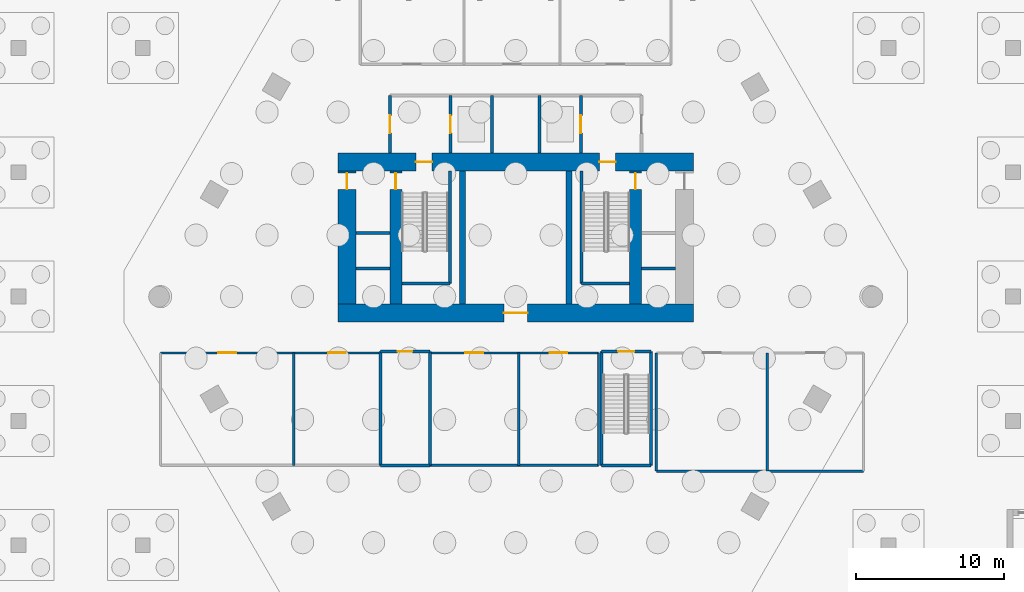
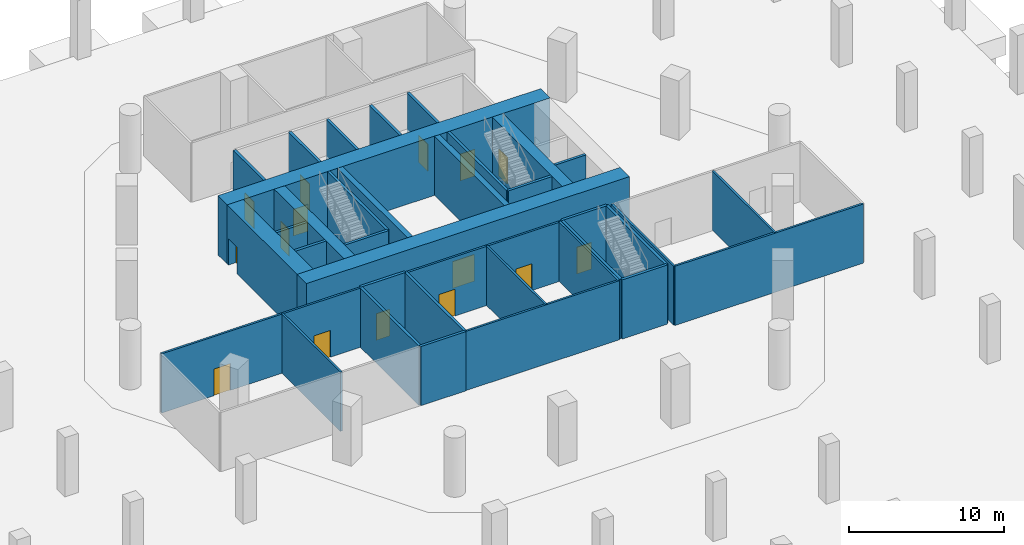
# One storey, part 4 of 7: 36 walls, 15 doors, 15 openings.
"""IFC4 building model written with IfcOpenShell, lengths in metres."""

from ifc_helpers import new_model, si_unit, direction, frame, frame_2d, origin, place, context, subcontext, project, spatial, rectangle, extrude, material, layer, layer_set, type_object, element, fill, save


model = new_model("IFC4")

# Units and contexts
model_context = context("Model", 3, precision=1e-05, world=origin(), true_north=direction((0.0, 1.0)))
body_context = subcontext(model_context, "Body", "Model", "MODEL_VIEW")
ifc_project = project(units=[si_unit("LENGTHUNIT", "METRE"), si_unit("AREAUNIT", "SQUARE_METRE"), si_unit("VOLUMEUNIT", "CUBIC_METRE"), si_unit("PLANEANGLEUNIT", "RADIAN"), si_unit("MASSUNIT", "GRAM", prefix="KILO")], contexts=[model_context])

# Site, building, storey
site_placement = place(None, origin())
site = spatial("IfcSite", under=ifc_project, at=site_placement, CompositionType="ELEMENT")
building_placement = place(site_placement, origin())
building = spatial("IfcBuilding", under=site, at=building_placement, Name="Ostrander Bayou Hotel Tower", CompositionType="ELEMENT")
storey_placement = place(building_placement, frame((0.0, 0.0, -5.0)))
storey = spatial("IfcBuildingStorey", under=building, at=storey_placement, Name="B1", CompositionType="ELEMENT", Elevation=-5.0)

# Wall, opening, door
ifc_material_1 = material(Name="Concrete f'c 70 MPa", Category="concrete")
ifc_layer_1 = layer(ifc_material_1, 1.199951171875)
ifc_layer_set_1 = layer_set([ifc_layer_1], Name="CW1 core wall 1200 mm f'c 70 MPa")
wall_type_1 = type_object("IfcWallType", Name="CW1 core wall 1200 mm f'c 70 MPa", PredefinedType="SHEAR", material=ifc_layer_set_1)
wall_1_placement = place(storey_placement, frame((-12.0, -1.10009765625, 0.0), z_axis=(0.0, 0.0, 1.0), x_axis=(1.0, 0.0, 0.0)))
wall_1 = element("IfcWall", 1, at=wall_1_placement, inside=storey, type_object=wall_type_1, Name="CW1 B1 S", PredefinedType="SHEAR", context=body_context, shape_type="SweptSolid", body=[
    extrude(rectangle(XDim=24.0, YDim=1.199951171875, at=frame_2d((12.0, 0.0))), origin(), (0.0, 0.0, 1.0), 4.64990234375),
])
opening_1_placement = place(wall_1_placement, frame((11.199951171875, 0.0, 0.0)))
opening_1 = element("IfcOpeningElement", 2, at=opening_1_placement, cuts=wall_1, Name="Opening B1-001", PredefinedType="OPENING", context=body_context, shape_type="SweptSolid", body=[
    extrude(rectangle(XDim=1.60009765625, YDim=2.10009765625, at=frame_2d((0.800048828125, 1.050048828125))), frame((0.0, 0.60009765625, 0.0), z_axis=(0.0, -1.0, 0.0), x_axis=(1.0, 0.0, 0.0)), (0.0, 0.0, 1.0), 1.199951171875),
])
ifc_material_2 = material(Name="Timber door leaf", Category="wood")
door_type_1 = type_object("IfcDoorType", Name="D13 double door 1600 x 2100 mm, 1 hour", OperationType="SINGLE_SWING_LEFT", PredefinedType="DOOR", material=ifc_material_2)
door_1_placement = place(opening_1_placement, origin())
door_1 = element("IfcDoor", 3, at=door_1_placement, inside=storey, type_object=door_type_1, Name="dr:B1:001", OperationType="DOUBLE_DOOR_SINGLE_SWING", OverallHeight=2.10009765625, OverallWidth=1.60009765625, PredefinedType="DOOR", context=body_context, shape_type="SweptSolid", body=[
    extrude(rectangle(XDim=1.60009765625, YDim=2.10009765625, at=frame_2d((0.800048828125, 1.050048828125))), frame((0.0, 0.02490234375, 0.0), z_axis=(0.0, -1.0, 0.0), x_axis=(1.0, 0.0, 0.0)), (0.0, 0.0, 1.0), 0.050048828125),
])
fill(opening_1, door_1)

# Wall, openings, doors
wall_2_placement = place(storey_placement, frame((-12.0, 9.10009765625, 0.0), z_axis=(0.0, 0.0, 1.0), x_axis=(1.0, 0.0, 0.0)))
wall_2 = element("IfcWall", 4, at=wall_2_placement, inside=storey, type_object=wall_type_1, Name="CW1 B1 N", PredefinedType="SHEAR", context=body_context, shape_type="SweptSolid", body=[
    extrude(rectangle(XDim=24.0, YDim=1.199951171875, at=frame_2d((12.0, 0.0))), origin(), (0.0, 0.0, 1.0), 4.64990234375),
])
opening_2_placement = place(wall_2_placement, frame((5.25, 0.0, 0.0)))
opening_2 = element("IfcOpeningElement", 5, at=opening_2_placement, cuts=wall_2, Name="Opening B1-002", PredefinedType="OPENING", context=body_context, shape_type="SweptSolid", body=[
    extrude(rectangle(XDim=1.10009765625, YDim=2.10009765625, at=frame_2d((0.550048828125, 1.050048828125))), frame((0.0, 0.60009765625, 0.0), z_axis=(0.0, -1.0, 0.0), x_axis=(1.0, 0.0, 0.0)), (0.0, 0.0, 1.0), 1.199951171875),
])
opening_3_placement = place(wall_2_placement, frame((17.64990234375, 0.0, 0.0)))
opening_3 = element("IfcOpeningElement", 6, at=opening_3_placement, cuts=wall_2, Name="Opening B1-004", PredefinedType="OPENING", context=body_context, shape_type="SweptSolid", body=[
    extrude(rectangle(XDim=1.10009765625, YDim=2.10009765625, at=frame_2d((0.550048828125, 1.050048828125))), frame((0.0, 0.60009765625, 0.0), z_axis=(0.0, -1.0, 0.0), x_axis=(1.0, 0.0, 0.0)), (0.0, 0.0, 1.0), 1.199951171875),
])
ifc_material_3 = material(Name="Timber door leaf", Category="wood")
door_type_2 = type_object("IfcDoorType", Name="D5 stair door 1100 x 2100 mm, 90 minute", OperationType="SINGLE_SWING_LEFT", PredefinedType="DOOR", material=ifc_material_3)
door_2_placement = place(opening_2_placement, origin())
door_2 = element("IfcDoor", 7, at=door_2_placement, inside=storey, type_object=door_type_2, Name="dr:B1:002", OperationType="SINGLE_SWING_LEFT", OverallHeight=2.10009765625, OverallWidth=1.10009765625, PredefinedType="DOOR", context=body_context, shape_type="SweptSolid", body=[
    extrude(rectangle(XDim=1.10009765625, YDim=2.10009765625, at=frame_2d((0.550048828125, 1.050048828125))), frame((0.0, 0.02490234375, 0.0), z_axis=(0.0, -1.0, 0.0), x_axis=(1.0, 0.0, 0.0)), (0.0, 0.0, 1.0), 0.050048828125),
])
fill(opening_2, door_2)
door_3_placement = place(opening_3_placement, origin())
door_3 = element("IfcDoor", 8, at=door_3_placement, inside=storey, type_object=door_type_2, Name="dr:B1:004", OperationType="SINGLE_SWING_RIGHT", OverallHeight=2.10009765625, OverallWidth=1.10009765625, PredefinedType="DOOR", context=body_context, shape_type="SweptSolid", body=[
    extrude(rectangle(XDim=1.10009765625, YDim=2.10009765625, at=frame_2d((0.550048828125, 1.050048828125))), frame((0.0, 0.02490234375, 0.0), z_axis=(0.0, -1.0, 0.0), x_axis=(1.0, 0.0, 0.0)), (0.0, 0.0, 1.0), 0.050048828125),
])
fill(opening_3, door_3)

# Wall, opening, door
wall_3_placement = place(storey_placement, frame((-11.39990234375, -0.5, 0.0), z_axis=(0.0, 0.0, 1.0), x_axis=(0.0, 1.0, 0.0)))
wall_3 = element("IfcWall", 9, at=wall_3_placement, inside=storey, type_object=wall_type_1, Name="CW1 B1 RW", PredefinedType="SHEAR", context=body_context, shape_type="SweptSolid", body=[
    extrude(rectangle(XDim=9.0, YDim=1.199951171875, at=frame_2d((4.5, 0.0))), origin(), (0.0, 0.0, 1.0), 4.64990234375),
])
opening_4_placement = place(wall_3_placement, frame((7.75, 0.0, 0.0)))
opening_4 = element("IfcOpeningElement", 10, at=opening_4_placement, cuts=wall_3, Name="Opening B1-011", PredefinedType="OPENING", context=body_context, shape_type="SweptSolid", body=[
    extrude(rectangle(XDim=1.10009765625, YDim=2.10009765625, at=frame_2d((0.550048828125, 1.050048828125))), frame((0.0, 0.60009765625, 0.0), z_axis=(0.0, -1.0, 0.0), x_axis=(1.0, 0.0, 0.0)), (0.0, 0.0, 1.0), 1.199951171875),
])
door_4_placement = place(opening_4_placement, origin())
door_4 = element("IfcDoor", 11, at=door_4_placement, inside=storey, type_object=door_type_2, Name="dr:B1:011", OperationType="SINGLE_SWING_LEFT", OverallHeight=2.10009765625, OverallWidth=1.10009765625, PredefinedType="DOOR", context=body_context, shape_type="SweptSolid", body=[
    extrude(rectangle(XDim=1.10009765625, YDim=2.10009765625, at=frame_2d((0.550048828125, 1.050048828125))), frame((0.0, 0.02490234375, 0.0), z_axis=(0.0, -1.0, 0.0), x_axis=(1.0, 0.0, 0.0)), (0.0, 0.0, 1.0), 0.050048828125),
])
fill(opening_4, door_4)

ifc_material_4 = material(Name="Concrete f'c 70 MPa", Category="concrete")
ifc_layer_2 = layer(ifc_material_4, 0.800048828125)
ifc_layer_set_2 = layer_set([ifc_layer_2], Name="CW2 core spine wall 800 mm f'c 70 MPa")
wall_type_2 = type_object("IfcWallType", Name="CW2 core spine wall 800 mm f'c 70 MPa", PredefinedType="SHEAR", material=ifc_layer_set_2)
wall_4_placement = place(storey_placement, frame((-8.10009765625, -0.5, 0.0), z_axis=(0.0, 0.0, 1.0), x_axis=(0.0, 1.0, 0.0)))
wall_4 = element("IfcWall", 12, at=wall_4_placement, inside=storey, type_object=wall_type_2, Name="CW2 B1 W", PredefinedType="SHEAR", context=body_context, shape_type="SweptSolid", body=[
    extrude(rectangle(XDim=9.0, YDim=0.800048828125, at=frame_2d((4.5, 0.0))), origin(), (0.0, 0.0, 1.0), 4.64990234375),
])
opening_5_placement = place(wall_4_placement, frame((7.75, 0.0, 0.0)))
opening_5 = element("IfcOpeningElement", 13, at=opening_5_placement, cuts=wall_4, Name="Opening B1-003", PredefinedType="OPENING", context=body_context, shape_type="SweptSolid", body=[
    extrude(rectangle(XDim=1.10009765625, YDim=2.10009765625, at=frame_2d((0.550048828125, 1.050048828125))), frame((0.0, 0.39990234375, 0.0), z_axis=(0.0, -1.0, 0.0), x_axis=(1.0, 0.0, 0.0)), (0.0, 0.0, 1.0), 0.800048828125),
])
door_5_placement = place(opening_5_placement, origin())
door_5 = element("IfcDoor", 14, at=door_5_placement, inside=storey, type_object=door_type_2, Name="dr:B1:003", OperationType="SINGLE_SWING_RIGHT", OverallHeight=2.10009765625, OverallWidth=1.10009765625, PredefinedType="DOOR", context=body_context, shape_type="SweptSolid", body=[
    extrude(rectangle(XDim=1.10009765625, YDim=2.10009765625, at=frame_2d((0.550048828125, 1.050048828125))), frame((0.0, 0.02490234375, 0.0), z_axis=(0.0, -1.0, 0.0), x_axis=(1.0, 0.0, 0.0)), (0.0, 0.0, 1.0), 0.050048828125),
])
fill(opening_5, door_5)

wall_5_placement = place(storey_placement, frame((8.10009765625, -0.5, 0.0), z_axis=(0.0, 0.0, 1.0), x_axis=(0.0, 1.0, 0.0)))
wall_5 = element("IfcWall", 15, at=wall_5_placement, inside=storey, type_object=wall_type_2, Name="CW2 B1 E", PredefinedType="SHEAR", context=body_context, shape_type="SweptSolid", body=[
    extrude(rectangle(XDim=9.0, YDim=0.800048828125, at=frame_2d((4.5, 0.0))), origin(), (0.0, 0.0, 1.0), 4.64990234375),
])
opening_6_placement = place(wall_5_placement, frame((7.75, 0.0, 0.0)))
opening_6 = element("IfcOpeningElement", 16, at=opening_6_placement, cuts=wall_5, Name="Opening B1-005", PredefinedType="OPENING", context=body_context, shape_type="SweptSolid", body=[
    extrude(rectangle(XDim=1.10009765625, YDim=2.10009765625, at=frame_2d((0.550048828125, 1.050048828125))), frame((0.0, 0.39990234375, 0.0), z_axis=(0.0, -1.0, 0.0), x_axis=(1.0, 0.0, 0.0)), (0.0, 0.0, 1.0), 0.800048828125),
])
door_6_placement = place(opening_6_placement, origin())
door_6 = element("IfcDoor", 17, at=door_6_placement, inside=storey, type_object=door_type_2, Name="dr:B1:005", OperationType="SINGLE_SWING_LEFT", OverallHeight=2.10009765625, OverallWidth=1.10009765625, PredefinedType="DOOR", context=body_context, shape_type="SweptSolid", body=[
    extrude(rectangle(XDim=1.10009765625, YDim=2.10009765625, at=frame_2d((0.550048828125, 1.050048828125))), frame((0.0, 0.02490234375, 0.0), z_axis=(0.0, -1.0, 0.0), x_axis=(1.0, 0.0, 0.0)), (0.0, 0.0, 1.0), 0.050048828125),
])
fill(opening_6, door_6)

# Walls
ifc_material_5 = material(Name="Concrete f'c 70 MPa", Category="concrete")
ifc_layer_3 = layer(ifc_material_5, 0.39990234375)
ifc_layer_set_3 = layer_set([ifc_layer_3], Name="CW3 core bank wall 400 mm f'c 70 MPa")
wall_type_3 = type_object("IfcWallType", Name="CW3 core bank wall 400 mm f'c 70 MPa", PredefinedType="SHEAR", material=ifc_layer_set_3)
for number, where, z_axis, x_axis, name in (
    (18, (-3.60009765625, -0.5, 0.0), (0.0, 0.0, 1.0), (0.0, 1.0, 0.0), "CW3 B1 CW"),
    (19, (3.60009765625, -0.5, 0.0), (0.0, 0.0, 1.0), (0.0, 1.0, 0.0), "CW3 B1 CE"),
):
    element("IfcWall", number, at=place(storey_placement, frame(where, z_axis=z_axis, x_axis=x_axis)), inside=storey, type_object=wall_type_3, Name=name, PredefinedType="SHEAR", context=body_context, shape_type="SweptSolid", body=[
        extrude(rectangle(XDim=9.0, YDim=0.39990234375, at=frame_2d((4.5, 0.0))), origin(), (0.0, 0.0, 1.0), 4.64990234375),
    ])

# Wall, opening, door
ifc_material_6 = material(Name="Masonry block", Category="masonry")
ifc_layer_4 = layer(ifc_material_6, 0.199951171875)
ifc_layer_set_4 = layer_set([ifc_layer_4], Name="PT5 stair enclosure wall 200 mm masonry, 2 hour")
wall_type_4 = type_object("IfcWallType", Name="PT5 stair enclosure wall 200 mm masonry, 2 hour", PredefinedType="PARTITIONING", material=ifc_layer_set_4)
wall_6_placement = place(storey_placement, frame((-8.5, 9.699951171875, 0.0), z_axis=(0.0, 0.0, 1.0), x_axis=(0.0, 1.0, 0.0)))
wall_6 = element("IfcWall", 20, at=wall_6_placement, inside=storey, type_object=wall_type_4, Name="cs:B1:010", PredefinedType="PARTITIONING", context=body_context, shape_type="SweptSolid", body=[
    extrude(rectangle(XDim=3.900146484375, YDim=0.199951171875, at=frame_2d((1.9501953125, 0.0))), origin(), (0.0, 0.0, 1.0), 4.64990234375),
])
opening_7_placement = place(wall_6_placement, frame((1.35009765625, 0.0, 0.0)))
opening_7 = element("IfcOpeningElement", 21, at=opening_7_placement, cuts=wall_6, Name="Opening B1-008", PredefinedType="OPENING", context=body_context, shape_type="SweptSolid", body=[
    extrude(rectangle(XDim=1.199951171875, YDim=2.10009765625, at=frame_2d((0.60009765625, 1.050048828125))), frame((0.0, 0.10009765625, 0.0), z_axis=(0.0, -1.0, 0.0), x_axis=(1.0, 0.0, 0.0)), (0.0, 0.0, 1.0), 0.199951171875),
])
ifc_material_7 = material(Name="Timber door leaf", Category="wood")
door_type_3 = type_object("IfcDoorType", Name="D7 lobby door 1200 x 2100 mm, 1 hour", OperationType="SINGLE_SWING_LEFT", PredefinedType="DOOR", material=ifc_material_7)
door_7_placement = place(opening_7_placement, origin())
door_7 = element("IfcDoor", 22, at=door_7_placement, inside=storey, type_object=door_type_3, Name="dr:B1:008", OperationType="SINGLE_SWING_LEFT", OverallHeight=2.10009765625, OverallWidth=1.199951171875, PredefinedType="DOOR", context=body_context, shape_type="SweptSolid", body=[
    extrude(rectangle(XDim=1.199951171875, YDim=2.10009765625, at=frame_2d((0.60009765625, 1.050048828125))), frame((0.0, 0.02490234375, 0.0), z_axis=(0.0, -1.0, 0.0), x_axis=(1.0, 0.0, 0.0)), (0.0, 0.0, 1.0), 0.050048828125),
])
fill(opening_7, door_7)

wall_7_placement = place(storey_placement, frame((-4.39990234375, 9.699951171875, 0.0), z_axis=(0.0, 0.0, 1.0), x_axis=(0.0, 1.0, 0.0)))
wall_7 = element("IfcWall", 23, at=wall_7_placement, inside=storey, type_object=wall_type_4, Name="cs:B1:012", PredefinedType="PARTITIONING", context=body_context, shape_type="SweptSolid", body=[
    extrude(rectangle(XDim=3.900146484375, YDim=0.199951171875, at=frame_2d((1.9501953125, 0.0))), origin(), (0.0, 0.0, 1.0), 4.64990234375),
])
opening_8_placement = place(wall_7_placement, frame((1.35009765625, 0.0, 0.0)))
opening_8 = element("IfcOpeningElement", 24, at=opening_8_placement, cuts=wall_7, Name="Opening B1-007", PredefinedType="OPENING", context=body_context, shape_type="SweptSolid", body=[
    extrude(rectangle(XDim=1.199951171875, YDim=2.10009765625, at=frame_2d((0.60009765625, 1.050048828125))), frame((0.0, 0.10009765625, 0.0), z_axis=(0.0, -1.0, 0.0), x_axis=(1.0, 0.0, 0.0)), (0.0, 0.0, 1.0), 0.199951171875),
])
ifc_material_8 = material(Name="Stainless steel sliding door", Category="steel")
door_type_4 = type_object("IfcDoorType", Name="LD1 lift landing door 1200 x 2100 mm", OperationType="SINGLE_SWING_LEFT", PredefinedType="DOOR", material=ifc_material_8)
door_8_placement = place(opening_8_placement, origin())
door_8 = element("IfcDoor", 25, at=door_8_placement, inside=storey, type_object=door_type_4, Name="dr:B1:007", OperationType="SLIDING_TO_LEFT", OverallHeight=2.10009765625, OverallWidth=1.199951171875, PredefinedType="DOOR", context=body_context, shape_type="SweptSolid", body=[
    extrude(rectangle(XDim=1.199951171875, YDim=2.10009765625, at=frame_2d((0.60009765625, 1.050048828125))), frame((0.0, 0.02490234375, 0.0), z_axis=(0.0, -1.0, 0.0), x_axis=(1.0, 0.0, 0.0)), (0.0, 0.0, 1.0), 0.050048828125),
])
fill(opening_8, door_8)

wall_8_placement = place(storey_placement, frame((4.39990234375, 9.699951171875, 0.0), z_axis=(0.0, 0.0, 1.0), x_axis=(0.0, 1.0, 0.0)))
wall_8 = element("IfcWall", 26, at=wall_8_placement, inside=storey, type_object=wall_type_4, Name="cs:B1:013", PredefinedType="PARTITIONING", context=body_context, shape_type="SweptSolid", body=[
    extrude(rectangle(XDim=3.900146484375, YDim=0.199951171875, at=frame_2d((1.9501953125, 0.0))), origin(), (0.0, 0.0, 1.0), 4.64990234375),
])
opening_9_placement = place(wall_8_placement, frame((1.35009765625, 0.0, 0.0)))
opening_9 = element("IfcOpeningElement", 27, at=opening_9_placement, cuts=wall_8, Name="Opening B1-009", PredefinedType="OPENING", context=body_context, shape_type="SweptSolid", body=[
    extrude(rectangle(XDim=1.199951171875, YDim=2.10009765625, at=frame_2d((0.60009765625, 1.050048828125))), frame((0.0, 0.10009765625, 0.0), z_axis=(0.0, -1.0, 0.0), x_axis=(1.0, 0.0, 0.0)), (0.0, 0.0, 1.0), 0.199951171875),
])
door_9_placement = place(opening_9_placement, origin())
door_9 = element("IfcDoor", 28, at=door_9_placement, inside=storey, type_object=door_type_4, Name="dr:B1:009", OperationType="SLIDING_TO_LEFT", OverallHeight=2.10009765625, OverallWidth=1.199951171875, PredefinedType="DOOR", context=body_context, shape_type="SweptSolid", body=[
    extrude(rectangle(XDim=1.199951171875, YDim=2.10009765625, at=frame_2d((0.60009765625, 1.050048828125))), frame((0.0, 0.02490234375, 0.0), z_axis=(0.0, -1.0, 0.0), x_axis=(1.0, 0.0, 0.0)), (0.0, 0.0, 1.0), 0.050048828125),
])
fill(opening_9, door_9)

# Walls
ifc_material_9 = material(Name="Masonry block", Category="masonry")
ifc_layer_5 = layer(ifc_material_9, 0.199951171875)
ifc_layer_set_5 = layer_set([ifc_layer_5], Name="PT6 lift shaft wall 200 mm masonry, 2 hour")
wall_type_5 = type_object("IfcWallType", Name="PT6 lift shaft wall 200 mm masonry, 2 hour", PredefinedType="PARTITIONING", material=ifc_layer_set_5)
for number, where, z_axis, x_axis, name in (
    (29, (-1.60009765625, 9.699951171875, 0.0), (0.0, 0.0, 1.0), (0.0, 1.0, 0.0), "cs:B1:014"),
    (30, (1.60009765625, 9.699951171875, 0.0), (0.0, 0.0, 1.0), (0.0, 1.0, 0.0), "cs:B1:015"),
):
    element("IfcWall", number, at=place(storey_placement, frame(where, z_axis=z_axis, x_axis=x_axis)), inside=storey, type_object=wall_type_5, Name=name, PredefinedType="PARTITIONING", context=body_context, shape_type="SweptSolid", body=[
        extrude(rectangle(XDim=3.900146484375, YDim=0.199951171875, at=frame_2d((1.9501953125, 0.0))), origin(), (0.0, 0.0, 1.0), 4.64990234375),
    ])
for number, where, z_axis, x_axis, name in (
    (31, (-10.800048828125, 1.89990234375, 0.0), (0.0, 0.0, 1.0), (1.0, 0.0, 0.0), "cs:B1:016"),
    (32, (-10.800048828125, 4.300048828125, 0.0), (0.0, 0.0, 1.0), (1.0, 0.0, 0.0), "cs:B1:017"),
    (33, (8.5, 1.89990234375, 0.0), (0.0, 0.0, 1.0), (1.0, 0.0, 0.0), "cs:B1:018"),
):
    element("IfcWall", number, at=place(storey_placement, frame(where, z_axis=z_axis, x_axis=x_axis)), inside=storey, type_object=wall_type_5, Name=name, PredefinedType="PARTITIONING", context=body_context, shape_type="SweptSolid", body=[
        extrude(rectangle(XDim=2.300048828125, YDim=0.199951171875, at=frame_2d((1.14990234375, 0.0))), origin(), (0.0, 0.0, 1.0), 4.64990234375),
    ])

# Wall, openings, doors
ifc_material_10 = material(Name="Gypsum board partition", Category="finish")
ifc_layer_6 = layer(ifc_material_10, 0.14990234375)
ifc_layer_set_6 = layer_set([ifc_layer_6], Name="PT8 service band wall 150 mm, 1 hour")
wall_type_6 = type_object("IfcWallType", Name="PT8 service band wall 150 mm, 1 hour", PredefinedType="PARTITIONING", material=ifc_layer_set_6)
wall_9_placement = place(storey_placement, frame((-24.0, -3.800048828125, 0.0), z_axis=(0.0, 0.0, 1.0), x_axis=(1.0, 0.0, 0.0)))
wall_9 = element("IfcWall", 34, at=wall_9_placement, inside=storey, type_object=wall_type_6, Name="bw:B1:020", PredefinedType="PARTITIONING", context=body_context, shape_type="SweptSolid", body=[
    extrude(rectangle(XDim=14.85009765625, YDim=0.14990234375, at=frame_2d((7.425048828125, 0.0))), origin(), (0.0, 0.0, 1.0), 4.64990234375),
])
opening_10_placement = place(wall_9_placement, frame((3.89990234375, 0.0, 0.0)))
opening_10 = element("IfcOpeningElement", 35, at=opening_10_placement, cuts=wall_9, Name="Opening B1-013", PredefinedType="OPENING", context=body_context, shape_type="SweptSolid", body=[
    extrude(rectangle(XDim=1.199951171875, YDim=2.10009765625, at=frame_2d((0.60009765625, 1.050048828125))), frame((0.0, 0.074951171875, 0.0), z_axis=(0.0, -1.0, 0.0), x_axis=(1.0, 0.0, 0.0)), (0.0, 0.0, 1.0), 0.14990234375),
])
opening_11_placement = place(wall_9_placement, frame((11.324951171875, 0.0, 0.0)))
opening_11 = element("IfcOpeningElement", 36, at=opening_11_placement, cuts=wall_9, Name="Opening B1-014", PredefinedType="OPENING", context=body_context, shape_type="SweptSolid", body=[
    extrude(rectangle(XDim=1.199951171875, YDim=2.10009765625, at=frame_2d((0.60009765625, 1.050048828125))), frame((0.0, 0.074951171875, 0.0), z_axis=(0.0, -1.0, 0.0), x_axis=(1.0, 0.0, 0.0)), (0.0, 0.0, 1.0), 0.14990234375),
])
ifc_material_11 = material(Name="Timber door leaf", Category="wood")
door_type_5 = type_object("IfcDoorType", Name="D10 plant room door 1200 x 2100 mm, 1 hour", OperationType="SINGLE_SWING_LEFT", PredefinedType="DOOR", material=ifc_material_11)
door_10_placement = place(opening_10_placement, origin())
door_10 = element("IfcDoor", 37, at=door_10_placement, inside=storey, type_object=door_type_5, Name="dr:B1:013", OperationType="SINGLE_SWING_LEFT", OverallHeight=2.10009765625, OverallWidth=1.199951171875, PredefinedType="DOOR", context=body_context, shape_type="SweptSolid", body=[
    extrude(rectangle(XDim=1.199951171875, YDim=2.10009765625, at=frame_2d((0.60009765625, 1.050048828125))), frame((0.0, 0.02490234375, 0.0), z_axis=(0.0, -1.0, 0.0), x_axis=(1.0, 0.0, 0.0)), (0.0, 0.0, 1.0), 0.050048828125),
])
fill(opening_10, door_10)
door_11_placement = place(opening_11_placement, origin())
door_11 = element("IfcDoor", 38, at=door_11_placement, inside=storey, type_object=door_type_5, Name="dr:B1:014", OperationType="SINGLE_SWING_LEFT", OverallHeight=2.10009765625, OverallWidth=1.199951171875, PredefinedType="DOOR", context=body_context, shape_type="SweptSolid", body=[
    extrude(rectangle(XDim=1.199951171875, YDim=2.10009765625, at=frame_2d((0.60009765625, 1.050048828125))), frame((0.0, 0.02490234375, 0.0), z_axis=(0.0, -1.0, 0.0), x_axis=(1.0, 0.0, 0.0)), (0.0, 0.0, 1.0), 0.050048828125),
])
fill(opening_11, door_11)

# Wall
wall_10_placement = place(storey_placement, frame((-15.0, -3.800048828125, 0.0), z_axis=(0.0, 0.0, 1.0), x_axis=(0.0, -1.0, 0.0)))
element("IfcWall", 39, at=wall_10_placement, inside=storey, type_object=wall_type_6, Name="bw:B1:023", PredefinedType="PARTITIONING", context=body_context, shape_type="SweptSolid", body=[
    extrude(rectangle(XDim=7.599853515625, YDim=0.14990234375, at=frame_2d((3.7998046875, 0.0))), origin(), (0.0, 0.0, 1.0), 4.64990234375),
])

# Wall, openings, doors
wall_11_placement = place(storey_placement, frame((-5.800048828125, -3.800048828125, 0.0), z_axis=(0.0, 0.0, 1.0), x_axis=(1.0, 0.0, 0.0)))
wall_11 = element("IfcWall", 40, at=wall_11_placement, inside=storey, type_object=wall_type_6, Name="bw:B1:024", PredefinedType="PARTITIONING", context=body_context, shape_type="SweptSolid", body=[
    extrude(rectangle(XDim=11.400146484375, YDim=0.14990234375, at=frame_2d((5.7001953125, 0.0))), origin(), (0.0, 0.0, 1.0), 4.64990234375),
])
opening_12_placement = place(wall_11_placement, frame((2.39990234375, 0.0, 0.0)))
opening_12 = element("IfcOpeningElement", 41, at=opening_12_placement, cuts=wall_11, Name="Opening B1-015", PredefinedType="OPENING", context=body_context, shape_type="SweptSolid", body=[
    extrude(rectangle(XDim=1.199951171875, YDim=2.10009765625, at=frame_2d((0.60009765625, 1.050048828125))), frame((0.0, 0.074951171875, 0.0), z_axis=(0.0, -1.0, 0.0), x_axis=(1.0, 0.0, 0.0)), (0.0, 0.0, 1.0), 0.14990234375),
])
opening_13_placement = place(wall_11_placement, frame((8.10009765625, 0.0, 0.0)))
opening_13 = element("IfcOpeningElement", 42, at=opening_13_placement, cuts=wall_11, Name="Opening B1-016", PredefinedType="OPENING", context=body_context, shape_type="SweptSolid", body=[
    extrude(rectangle(XDim=1.199951171875, YDim=2.10009765625, at=frame_2d((0.60009765625, 1.050048828125))), frame((0.0, 0.074951171875, 0.0), z_axis=(0.0, -1.0, 0.0), x_axis=(1.0, 0.0, 0.0)), (0.0, 0.0, 1.0), 0.14990234375),
])
door_12_placement = place(opening_12_placement, origin())
door_12 = element("IfcDoor", 43, at=door_12_placement, inside=storey, type_object=door_type_5, Name="dr:B1:015", OperationType="SINGLE_SWING_LEFT", OverallHeight=2.10009765625, OverallWidth=1.199951171875, PredefinedType="DOOR", context=body_context, shape_type="SweptSolid", body=[
    extrude(rectangle(XDim=1.199951171875, YDim=2.10009765625, at=frame_2d((0.60009765625, 1.050048828125))), frame((0.0, 0.02490234375, 0.0), z_axis=(0.0, -1.0, 0.0), x_axis=(1.0, 0.0, 0.0)), (0.0, 0.0, 1.0), 0.050048828125),
])
fill(opening_12, door_12)
door_13_placement = place(opening_13_placement, origin())
door_13 = element("IfcDoor", 44, at=door_13_placement, inside=storey, type_object=door_type_5, Name="dr:B1:016", OperationType="SINGLE_SWING_LEFT", OverallHeight=2.10009765625, OverallWidth=1.199951171875, PredefinedType="DOOR", context=body_context, shape_type="SweptSolid", body=[
    extrude(rectangle(XDim=1.199951171875, YDim=2.10009765625, at=frame_2d((0.60009765625, 1.050048828125))), frame((0.0, 0.02490234375, 0.0), z_axis=(0.0, -1.0, 0.0), x_axis=(1.0, 0.0, 0.0)), (0.0, 0.0, 1.0), 0.050048828125),
])
fill(opening_13, door_13)

# Walls
wall_12_placement = place(storey_placement, frame((-5.800048828125, -11.39990234375, 0.0), z_axis=(0.0, 0.0, 1.0), x_axis=(1.0, 0.0, 0.0)))
element("IfcWall", 45, at=wall_12_placement, inside=storey, type_object=wall_type_6, Name="bw:B1:025", PredefinedType="PARTITIONING", context=body_context, shape_type="SweptSolid", body=[
    extrude(rectangle(XDim=11.400146484375, YDim=0.14990234375, at=frame_2d((5.7001953125, 0.0))), origin(), (0.0, 0.0, 1.0), 4.64990234375),
])
for number, where, z_axis, x_axis, name in (
    (46, (0.199951171875, -3.800048828125, 0.0), (0.0, 0.0, 1.0), (0.0, -1.0, 0.0), "bw:B1:026"),
    (47, (5.60009765625, -3.800048828125, 0.0), (0.0, 0.0, 1.0), (0.0, -1.0, 0.0), "bw:B1:027"),
):
    element("IfcWall", number, at=place(storey_placement, frame(where, z_axis=z_axis, x_axis=x_axis)), inside=storey, type_object=wall_type_6, Name=name, PredefinedType="PARTITIONING", context=body_context, shape_type="SweptSolid", body=[
        extrude(rectangle(XDim=7.599853515625, YDim=0.14990234375, at=frame_2d((3.7998046875, 0.0))), origin(), (0.0, 0.0, 1.0), 4.64990234375),
    ])
wall_13_placement = place(storey_placement, frame((9.5, -11.800048828125, 0.0), z_axis=(0.0, 0.0, 1.0), x_axis=(1.0, 0.0, 0.0)))
element("IfcWall", 48, at=wall_13_placement, inside=storey, type_object=wall_type_6, Name="bw:B1:033", PredefinedType="PARTITIONING", context=body_context, shape_type="SweptSolid", body=[
    extrude(rectangle(XDim=14.0, YDim=0.14990234375, at=frame_2d((7.0, 0.0))), origin(), (0.0, 0.0, 1.0), 4.64990234375),
])
for number, where, z_axis, x_axis, name in (
    (49, (9.5, -3.800048828125, 0.0), (0.0, 0.0, 1.0), (0.0, -1.0, 0.0), "bw:B1:034"),
    (50, (17.0, -3.800048828125, 0.0), (0.0, 0.0, 1.0), (0.0, -1.0, 0.0), "bw:B1:035"),
):
    element("IfcWall", number, at=place(storey_placement, frame(where, z_axis=z_axis, x_axis=x_axis)), inside=storey, type_object=wall_type_6, Name=name, PredefinedType="PARTITIONING", context=body_context, shape_type="SweptSolid", body=[
        extrude(rectangle(XDim=8.0, YDim=0.14990234375, at=frame_2d((4.0, 0.0))), origin(), (0.0, 0.0, 1.0), 4.64990234375),
    ])
ifc_material_12 = material(Name="Concrete f'c 45 MPa", Category="concrete")
ifc_layer_7 = layer(ifc_material_12, 0.199951171875)
ifc_layer_set_7 = layer_set([ifc_layer_7], Name="SW5 stair enclosure wall 200 mm f'c 45 MPa")
wall_type_7 = type_object("IfcWallType", Name="SW5 stair enclosure wall 200 mm f'c 45 MPa", PredefinedType="SOLIDWALL", material=ifc_layer_set_7)
wall_14_placement = place(storey_placement, frame((-4.449951171875, 0.89990234375, 0.0), z_axis=(0.0, 0.0, 1.0), x_axis=(0.0, 1.0, 0.0)))
element("IfcWall", 51, at=wall_14_placement, inside=storey, type_object=wall_type_7, Name="cs:B1:001", PredefinedType="SOLIDWALL", context=body_context, shape_type="SweptSolid", body=[
    extrude(rectangle(XDim=7.60009765625, YDim=0.199951171875, at=frame_2d((3.800048828125, 0.0))), origin(), (0.0, 0.0, 1.0), 4.64990234375),
])
wall_15_placement = place(storey_placement, frame((-7.699951171875, 0.89990234375, 0.0), z_axis=(0.0, 0.0, 1.0), x_axis=(1.0, 0.0, 0.0)))
element("IfcWall", 52, at=wall_15_placement, inside=storey, type_object=wall_type_7, Name="cs:B1:002", PredefinedType="SOLIDWALL", context=body_context, shape_type="SweptSolid", body=[
    extrude(rectangle(XDim=3.25, YDim=0.199951171875, at=frame_2d((1.625, 0.0))), origin(), (0.0, 0.0, 1.0), 4.64990234375),
])
wall_16_placement = place(storey_placement, frame((4.449951171875, 0.89990234375, 0.0), z_axis=(0.0, 0.0, 1.0), x_axis=(0.0, 1.0, 0.0)))
element("IfcWall", 53, at=wall_16_placement, inside=storey, type_object=wall_type_7, Name="cs:B1:003", PredefinedType="SOLIDWALL", context=body_context, shape_type="SweptSolid", body=[
    extrude(rectangle(XDim=7.60009765625, YDim=0.199951171875, at=frame_2d((3.800048828125, 0.0))), origin(), (0.0, 0.0, 1.0), 4.64990234375),
])
wall_17_placement = place(storey_placement, frame((4.449951171875, 0.89990234375, 0.0), z_axis=(0.0, 0.0, 1.0), x_axis=(1.0, 0.0, 0.0)))
element("IfcWall", 54, at=wall_17_placement, inside=storey, type_object=wall_type_7, Name="cs:B1:004", PredefinedType="SOLIDWALL", context=body_context, shape_type="SweptSolid", body=[
    extrude(rectangle(XDim=3.25, YDim=0.199951171875, at=frame_2d((1.625, 0.0))), origin(), (0.0, 0.0, 1.0), 4.64990234375),
])

# Wall, opening, door
wall_18_placement = place(storey_placement, frame((5.800048828125, -3.699951171875, 0.0), z_axis=(0.0, 0.0, 1.0), x_axis=(1.0, 0.0, 0.0)))
wall_18 = element("IfcWall", 55, at=wall_18_placement, inside=storey, type_object=wall_type_7, Name="cs:B1:005", PredefinedType="SOLIDWALL", context=body_context, shape_type="SweptSolid", body=[
    extrude(rectangle(XDim=3.349853515625, YDim=0.199951171875, at=frame_2d((1.6748046875, 0.0))), origin(), (0.0, 0.0, 1.0), 4.64990234375),
])
opening_14_placement = place(wall_18_placement, frame((1.125, 0.0, 0.0)))
opening_14 = element("IfcOpeningElement", 56, at=opening_14_placement, cuts=wall_18, Name="Opening B1-006", PredefinedType="OPENING", context=body_context, shape_type="SweptSolid", body=[
    extrude(rectangle(XDim=1.10009765625, YDim=2.10009765625, at=frame_2d((0.550048828125, 1.050048828125))), frame((0.0, 0.10009765625, 0.0), z_axis=(0.0, -1.0, 0.0), x_axis=(1.0, 0.0, 0.0)), (0.0, 0.0, 1.0), 0.199951171875),
])
door_14_placement = place(opening_14_placement, origin())
door_14 = element("IfcDoor", 57, at=door_14_placement, inside=storey, type_object=door_type_2, Name="dr:B1:006", OperationType="SINGLE_SWING_LEFT", OverallHeight=2.10009765625, OverallWidth=1.10009765625, PredefinedType="DOOR", context=body_context, shape_type="SweptSolid", body=[
    extrude(rectangle(XDim=1.10009765625, YDim=2.10009765625, at=frame_2d((0.550048828125, 1.050048828125))), frame((0.0, 0.02490234375, 0.0), z_axis=(0.0, -1.0, 0.0), x_axis=(1.0, 0.0, 0.0)), (0.0, 0.0, 1.0), 0.050048828125),
])
fill(opening_14, door_14)

# Walls
for number, where, z_axis, x_axis, name in (
    (58, (5.800048828125, -3.699951171875, 0.0), (0.0, 0.0, 1.0), (0.0, -1.0, 0.0), "cs:B1:006"),
    (59, (9.14990234375, -3.699951171875, 0.0), (0.0, 0.0, 1.0), (0.0, -1.0, 0.0), "cs:B1:007"),
):
    element("IfcWall", number, at=place(storey_placement, frame(where, z_axis=z_axis, x_axis=x_axis)), inside=storey, type_object=wall_type_7, Name=name, PredefinedType="SOLIDWALL", context=body_context, shape_type="SweptSolid", body=[
        extrude(rectangle(XDim=7.699951171875, YDim=0.199951171875, at=frame_2d((3.85009765625, 0.0))), origin(), (0.0, 0.0, 1.0), 4.64990234375),
    ])
wall_19_placement = place(storey_placement, frame((5.800048828125, -11.39990234375, 0.0), z_axis=(0.0, 0.0, 1.0), x_axis=(1.0, 0.0, 0.0)))
element("IfcWall", 60, at=wall_19_placement, inside=storey, type_object=wall_type_7, Name="cs:B1:008", PredefinedType="SOLIDWALL", context=body_context, shape_type="SweptSolid", body=[
    extrude(rectangle(XDim=3.349853515625, YDim=0.199951171875, at=frame_2d((1.6748046875, 0.0))), origin(), (0.0, 0.0, 1.0), 4.64990234375),
])

# Wall, opening, door
wall_20_placement = place(storey_placement, frame((-9.14990234375, -3.699951171875, 0.0), z_axis=(0.0, 0.0, 1.0), x_axis=(1.0, 0.0, 0.0)))
wall_20 = element("IfcWall", 61, at=wall_20_placement, inside=storey, type_object=wall_type_7, Name="cs:B1:028", PredefinedType="SOLIDWALL", context=body_context, shape_type="SweptSolid", body=[
    extrude(rectangle(XDim=3.349853515625, YDim=0.199951171875, at=frame_2d((1.6748046875, 0.0))), origin(), (0.0, 0.0, 1.0), 4.64990234375),
])
opening_15_placement = place(wall_20_placement, frame((1.175048828125, 0.0, 0.0)))
opening_15 = element("IfcOpeningElement", 62, at=opening_15_placement, cuts=wall_20, Name="Opening B1-017", PredefinedType="OPENING", context=body_context, shape_type="SweptSolid", body=[
    extrude(rectangle(XDim=1.0, YDim=2.10009765625, at=frame_2d((0.5, 1.050048828125))), frame((0.0, 0.10009765625, 0.0), z_axis=(0.0, -1.0, 0.0), x_axis=(1.0, 0.0, 0.0)), (0.0, 0.0, 1.0), 0.199951171875),
])
ifc_material_13 = material(Name="Timber door leaf", Category="wood")
door_type_6 = type_object("IfcDoorType", Name="D9 service door 1000 x 2100 mm, 30 minute", OperationType="SINGLE_SWING_LEFT", PredefinedType="DOOR", material=ifc_material_13)
door_15_placement = place(opening_15_placement, origin())
door_15 = element("IfcDoor", 63, at=door_15_placement, inside=storey, type_object=door_type_6, Name="dr:B1:017", OperationType="SINGLE_SWING_LEFT", OverallHeight=2.10009765625, OverallWidth=1.0, PredefinedType="DOOR", context=body_context, shape_type="SweptSolid", body=[
    extrude(rectangle(XDim=1.0, YDim=2.10009765625, at=frame_2d((0.5, 1.050048828125))), frame((0.0, 0.02490234375, 0.0), z_axis=(0.0, -1.0, 0.0), x_axis=(1.0, 0.0, 0.0)), (0.0, 0.0, 1.0), 0.050048828125),
])
fill(opening_15, door_15)

# Walls
for number, where, z_axis, x_axis, name in (
    (64, (-9.14990234375, -3.699951171875, 0.0), (0.0, 0.0, 1.0), (0.0, -1.0, 0.0), "cs:B1:029"),
    (65, (-5.800048828125, -3.699951171875, 0.0), (0.0, 0.0, 1.0), (0.0, -1.0, 0.0), "cs:B1:030"),
):
    element("IfcWall", number, at=place(storey_placement, frame(where, z_axis=z_axis, x_axis=x_axis)), inside=storey, type_object=wall_type_7, Name=name, PredefinedType="SOLIDWALL", context=body_context, shape_type="SweptSolid", body=[
        extrude(rectangle(XDim=7.699951171875, YDim=0.199951171875, at=frame_2d((3.85009765625, 0.0))), origin(), (0.0, 0.0, 1.0), 4.64990234375),
    ])
wall_21_placement = place(storey_placement, frame((-9.14990234375, -11.39990234375, 0.0), z_axis=(0.0, 0.0, 1.0), x_axis=(1.0, 0.0, 0.0)))
element("IfcWall", 66, at=wall_21_placement, inside=storey, type_object=wall_type_7, Name="cs:B1:031", PredefinedType="SOLIDWALL", context=body_context, shape_type="SweptSolid", body=[
    extrude(rectangle(XDim=3.349853515625, YDim=0.199951171875, at=frame_2d((1.6748046875, 0.0))), origin(), (0.0, 0.0, 1.0), 4.64990234375),
])

save(model, "model.ifc")
